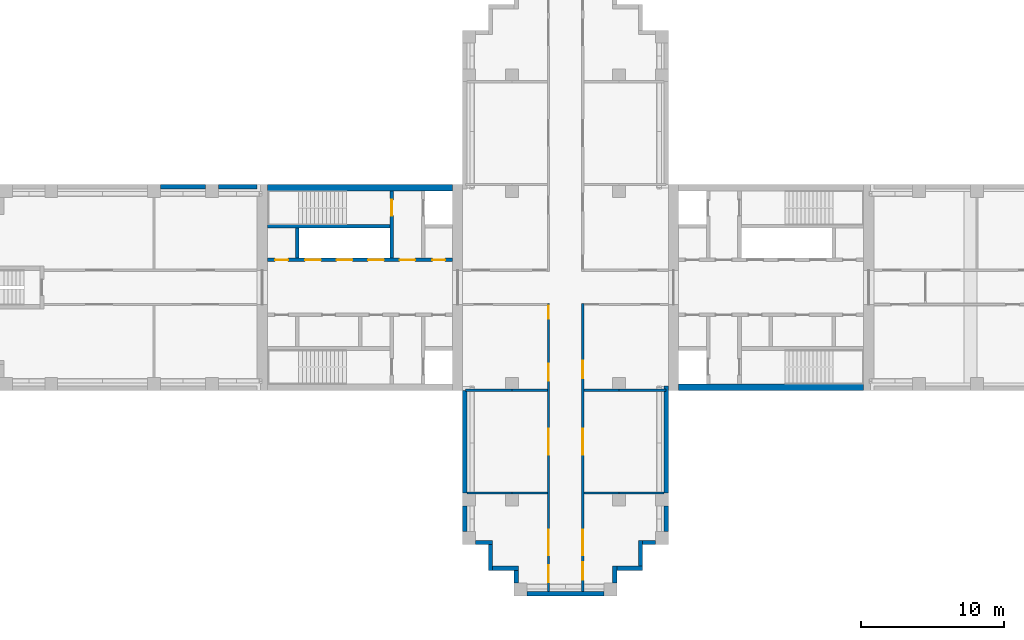
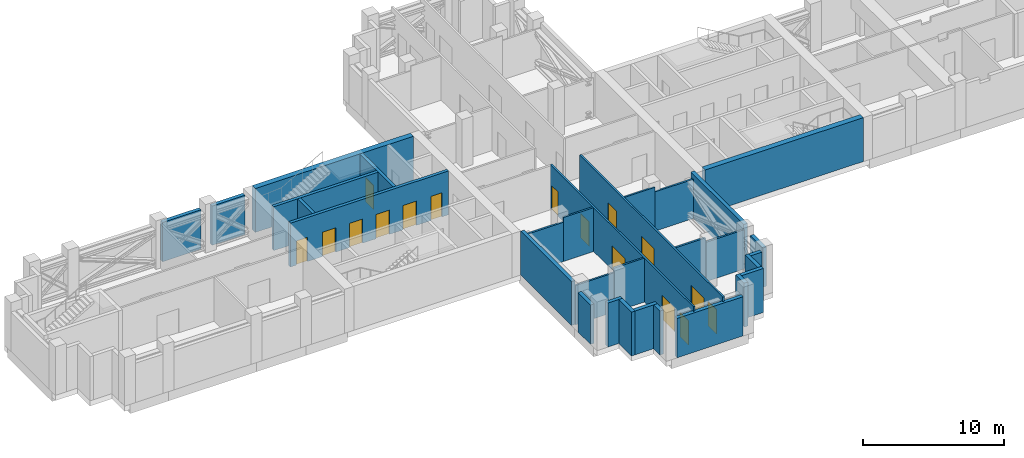
# One storey, part 4 of 9: 31 walls, 16 doors, 16 openings.
"""IFC4 building model written with IfcOpenShell, lengths in metres."""

from ifc_helpers import new_model, si_unit, direction, frame, frame_2d, origin, place, context, subcontext, project, spatial, rectangle, extrude, material, layer, layer_set, type_object, element, fill, save


model = new_model("IFC4")

# Units and contexts
model_context = context("Model", 3, precision=1e-05, world=origin(), true_north=direction((0.0, 1.0)))
body_context = subcontext(model_context, "Body", "Model", "MODEL_VIEW")
ifc_project = project(units=[si_unit("LENGTHUNIT", "METRE"), si_unit("AREAUNIT", "SQUARE_METRE"), si_unit("VOLUMEUNIT", "CUBIC_METRE"), si_unit("PLANEANGLEUNIT", "RADIAN"), si_unit("MASSUNIT", "GRAM", prefix="KILO")], contexts=[model_context])

# Site, building, storey
site_placement = place(None, origin())
site = spatial("IfcSite", under=ifc_project, at=site_placement, CompositionType="ELEMENT")
building_placement = place(site_placement, origin())
building = spatial("IfcBuilding", under=site, at=building_placement, Name="Fustian Cross Tower", CompositionType="ELEMENT")
storey_placement = place(building_placement, frame((0.0, 0.0, 162.300048828125)))
storey = spatial("IfcBuildingStorey", under=building, at=storey_placement, Name="L51", CompositionType="ELEMENT", Elevation=162.300048828125)

# Walls
ifc_material_1 = material(Name="Plasterboard on steel stud", Category="steel")
ifc_layer_1 = layer(ifc_material_1, 0.14990234375)
ifc_layer_set_1 = layer_set([ifc_layer_1], Name="Plasterboard on steel stud")
wall_type_1 = type_object("IfcWallType", Name="COMPARTMENT WALL 150 EI 60", PredefinedType="PARTITIONING", material=ifc_layer_set_1)
wall_1_placement = place(storey_placement, frame((-6.89990234375, -14.39990234375, 0.0), z_axis=(0.0, 0.0, 1.0), x_axis=(1.0, 0.0, 0.0)))
element("IfcWall", 1, at=wall_1_placement, inside=storey, type_object=wall_type_1, Name="Partition 7", PredefinedType="PARTITIONING", context=body_context, shape_type="SweptSolid", body=[
    extrude(rectangle(XDim=3.14990234375, YDim=0.14990234375, at=frame_2d((1.574951171875, 0.0))), origin(), (0.0, 0.0, 1.0), 3.39990234375),
])
wall_2_placement = place(storey_placement, frame((-7.02001953125, -7.199951171875, 0.0), z_axis=(0.0, 0.0, 1.0), x_axis=(1.0, 0.0, 0.0)))
element("IfcWall", 2, at=wall_2_placement, inside=storey, type_object=wall_type_1, Name="Partition 8", PredefinedType="PARTITIONING", context=body_context, shape_type="SweptSolid", body=[
    extrude(rectangle(XDim=3.27001953125, YDim=0.14990234375, at=frame_2d((1.635009765625, 0.0))), origin(), (0.0, 0.0, 1.0), 3.39990234375),
])

# Wall, openings, doors
wall_3_placement = place(storey_placement, frame((-1.199951171875, -21.419921875, 0.0), z_axis=(0.0, 0.0, 1.0), x_axis=(0.0, 1.0, 0.0)))
wall_3 = element("IfcWall", 3, at=wall_3_placement, inside=storey, type_object=wall_type_1, Name="Partition 11", PredefinedType="PARTITIONING", context=body_context, shape_type="SweptSolid", body=[
    extrude(rectangle(XDim=20.294921875, YDim=0.14990234375, at=frame_2d((10.1474609375, 0.0))), origin(), (0.0, 0.0, 1.0), 3.800048828125),
])
opening_1_placement = place(wall_3_placement, frame((14.8701171875, 0.0, 0.0)))
opening_1 = element("IfcOpeningElement", 4, at=opening_1_placement, cuts=wall_3, Name="Opening D23008", PredefinedType="OPENING", context=body_context, shape_type="SweptSolid", body=[
    extrude(rectangle(XDim=1.199951171875, YDim=2.10009765625, at=frame_2d((0.60009765625, 1.050048828125))), frame((0.0, 0.0849609375, 0.0), z_axis=(0.0, -1.0, 0.0), x_axis=(1.0, 0.0, 0.0)), (0.0, 0.0, 1.0), 0.169921875),
])
opening_2_placement = place(wall_3_placement, frame((19.219970703125, 0.0, 0.0)))
opening_2 = element("IfcOpeningElement", 5, at=opening_2_placement, cuts=wall_3, Name="Opening D23009", PredefinedType="OPENING", context=body_context, shape_type="SweptSolid", body=[
    extrude(rectangle(XDim=0.89990234375, YDim=2.10009765625, at=frame_2d((0.449951171875, 1.050048828125))), frame((0.0, 0.0849609375, 0.0), z_axis=(0.0, -1.0, 0.0), x_axis=(1.0, 0.0, 0.0)), (0.0, 0.0, 1.0), 0.169921875),
])
opening_3_placement = place(wall_3_placement, frame((9.719970703125, 0.0, 0.0)))
opening_3 = element("IfcOpeningElement", 6, at=opening_3_placement, cuts=wall_3, Name="Opening D23022", PredefinedType="OPENING", context=body_context, shape_type="SweptSolid", body=[
    extrude(rectangle(XDim=1.800048828125, YDim=2.10009765625, at=frame_2d((0.89990234375, 1.050048828125))), frame((0.0, 0.0849609375, 0.0), z_axis=(0.0, -1.0, 0.0), x_axis=(1.0, 0.0, 0.0)), (0.0, 0.0, 1.0), 0.169921875),
])
opening_4_placement = place(wall_3_placement, frame((0.77001953125, 0.0, 0.0)))
opening_4 = element("IfcOpeningElement", 7, at=opening_4_placement, cuts=wall_3, Name="Opening D23023", PredefinedType="OPENING", context=body_context, shape_type="SweptSolid", body=[
    extrude(rectangle(XDim=1.199951171875, YDim=2.10009765625, at=frame_2d((0.60009765625, 1.050048828125))), frame((0.0, 0.0849609375, 0.0), z_axis=(0.0, -1.0, 0.0), x_axis=(1.0, 0.0, 0.0)), (0.0, 0.0, 1.0), 0.169921875),
])
opening_5_placement = place(wall_3_placement, frame((2.669921875, 0.0, 0.0)))
opening_5 = element("IfcOpeningElement", 8, at=opening_5_placement, cuts=wall_3, Name="Opening D23024", PredefinedType="OPENING", context=body_context, shape_type="SweptSolid", body=[
    extrude(rectangle(XDim=1.800048828125, YDim=2.10009765625, at=frame_2d((0.89990234375, 1.050048828125))), frame((0.0, 0.0849609375, 0.0), z_axis=(0.0, -1.0, 0.0), x_axis=(1.0, 0.0, 0.0)), (0.0, 0.0, 1.0), 0.169921875),
])
ifc_material_2 = material(Name="Timber fire door set", Category="wood")
door_type_1 = type_object("IfcDoorType", Name="FIRE DOUBLE DOOR 1800 FD60S", OperationType="DOUBLE_DOOR_DOUBLE_SWING", PredefinedType="DOOR", material=ifc_material_2)
door_1_placement = place(opening_3_placement, frame((1.800048828125, 0.0, 0.0), z_axis=(0.0, 0.0, 1.0), x_axis=(-1.0, 0.0, 0.0)))
door_1 = element("IfcDoor", 9, at=door_1_placement, inside=storey, type_object=door_type_1, Name="Door D23022", OperationType="DOUBLE_DOOR_DOUBLE_SWING", OverallHeight=2.10009765625, OverallWidth=1.800048828125, PredefinedType="DOOR", context=body_context, shape_type="SweptSolid", body=[
    extrude(rectangle(XDim=1.800048828125, YDim=2.10009765625, at=frame_2d((0.89990234375, 1.050048828125))), frame((0.0, 0.02490234375, 0.0), z_axis=(0.0, -1.0, 0.0), x_axis=(1.0, 0.0, 0.0)), (0.0, 0.0, 1.0), 0.050048828125),
])
fill(opening_3, door_1)
door_2_placement = place(opening_5_placement, frame((1.800048828125, 0.0, 0.0), z_axis=(0.0, 0.0, 1.0), x_axis=(-1.0, 0.0, 0.0)))
door_2 = element("IfcDoor", 10, at=door_2_placement, inside=storey, type_object=door_type_1, Name="Door D23024", OperationType="DOUBLE_DOOR_DOUBLE_SWING", OverallHeight=2.10009765625, OverallWidth=1.800048828125, PredefinedType="DOOR", context=body_context, shape_type="SweptSolid", body=[
    extrude(rectangle(XDim=1.800048828125, YDim=2.10009765625, at=frame_2d((0.89990234375, 1.050048828125))), frame((0.0, 0.02490234375, 0.0), z_axis=(0.0, -1.0, 0.0), x_axis=(1.0, 0.0, 0.0)), (0.0, 0.0, 1.0), 0.050048828125),
])
fill(opening_5, door_2)
ifc_material_3 = material(Name="Timber fire door set", Category="wood")
door_type_2 = type_object("IfcDoorType", Name="FIRE SWING DOOR 1200 FD60S", OperationType="SINGLE_SWING_LEFT", PredefinedType="DOOR", material=ifc_material_3)
door_3_placement = place(opening_1_placement, frame((1.199951171875, 0.0, 0.0), z_axis=(0.0, 0.0, 1.0), x_axis=(-1.0, 0.0, 0.0)))
door_3 = element("IfcDoor", 11, at=door_3_placement, inside=storey, type_object=door_type_2, Name="Door D23008", OperationType="SINGLE_SWING_RIGHT", OverallHeight=2.10009765625, OverallWidth=1.199951171875, PredefinedType="DOOR", context=body_context, shape_type="SweptSolid", body=[
    extrude(rectangle(XDim=1.199951171875, YDim=2.10009765625, at=frame_2d((0.60009765625, 1.050048828125))), frame((0.0, 0.02490234375, 0.0), z_axis=(0.0, -1.0, 0.0), x_axis=(1.0, 0.0, 0.0)), (0.0, 0.0, 1.0), 0.050048828125),
])
fill(opening_1, door_3)
door_4_placement = place(opening_4_placement, origin())
door_4 = element("IfcDoor", 12, at=door_4_placement, inside=storey, type_object=door_type_2, Name="Door D23023", OperationType="SINGLE_SWING_LEFT", OverallHeight=2.10009765625, OverallWidth=1.199951171875, PredefinedType="DOOR", context=body_context, shape_type="SweptSolid", body=[
    extrude(rectangle(XDim=1.199951171875, YDim=2.10009765625, at=frame_2d((0.60009765625, 1.050048828125))), frame((0.0, 0.02490234375, 0.0), z_axis=(0.0, -1.0, 0.0), x_axis=(1.0, 0.0, 0.0)), (0.0, 0.0, 1.0), 0.050048828125),
])
fill(opening_4, door_4)
ifc_material_4 = material(Name="Timber fire door set", Category="wood")
door_type_3 = type_object("IfcDoorType", Name="FIRE SWING DOOR 900 FD30S", OperationType="SINGLE_SWING_LEFT", PredefinedType="DOOR", material=ifc_material_4)
door_5_placement = place(opening_2_placement, frame((0.89990234375, 0.0, 0.0), z_axis=(0.0, 0.0, 1.0), x_axis=(-1.0, 0.0, 0.0)))
door_5 = element("IfcDoor", 13, at=door_5_placement, inside=storey, type_object=door_type_3, Name="Door D23009", OperationType="SINGLE_SWING_RIGHT", OverallHeight=2.10009765625, OverallWidth=0.89990234375, PredefinedType="DOOR", context=body_context, shape_type="SweptSolid", body=[
    extrude(rectangle(XDim=0.89990234375, YDim=2.10009765625, at=frame_2d((0.449951171875, 1.050048828125))), frame((0.0, 0.02490234375, 0.0), z_axis=(0.0, -1.0, 0.0), x_axis=(1.0, 0.0, 0.0)), (0.0, 0.0, 1.0), 0.050048828125),
])
fill(opening_2, door_5)

wall_4_placement = place(storey_placement, frame((1.199951171875, -21.419921875, 0.0), z_axis=(0.0, 0.0, 1.0), x_axis=(0.0, 1.0, 0.0)))
wall_4 = element("IfcWall", 14, at=wall_4_placement, inside=storey, type_object=wall_type_1, Name="Partition 13", PredefinedType="PARTITIONING", context=body_context, shape_type="SweptSolid", body=[
    extrude(rectangle(XDim=20.294921875, YDim=0.14990234375, at=frame_2d((10.1474609375, 0.0))), origin(), (0.0, 0.0, 1.0), 3.800048828125),
])
opening_6_placement = place(wall_4_placement, frame((15.070068359375, 0.0, 0.0)))
opening_6 = element("IfcOpeningElement", 15, at=opening_6_placement, cuts=wall_4, Name="Opening D23010", PredefinedType="OPENING", context=body_context, shape_type="SweptSolid", body=[
    extrude(rectangle(XDim=1.199951171875, YDim=2.10009765625, at=frame_2d((0.60009765625, 1.050048828125))), frame((0.0, 0.0849609375, 0.0), z_axis=(0.0, -1.0, 0.0), x_axis=(1.0, 0.0, 0.0)), (0.0, 0.0, 1.0), 0.169921875),
])
opening_7_placement = place(wall_4_placement, frame((9.719970703125, 0.0, 0.0)))
opening_7 = element("IfcOpeningElement", 16, at=opening_7_placement, cuts=wall_4, Name="Opening D23019", PredefinedType="OPENING", context=body_context, shape_type="SweptSolid", body=[
    extrude(rectangle(XDim=1.800048828125, YDim=2.10009765625, at=frame_2d((0.89990234375, 1.050048828125))), frame((0.0, 0.0849609375, 0.0), z_axis=(0.0, -1.0, 0.0), x_axis=(1.0, 0.0, 0.0)), (0.0, 0.0, 1.0), 0.169921875),
])
opening_8_placement = place(wall_4_placement, frame((0.969970703125, 0.0, 0.0)))
opening_8 = element("IfcOpeningElement", 17, at=opening_8_placement, cuts=wall_4, Name="Opening D23020", PredefinedType="OPENING", context=body_context, shape_type="SweptSolid", body=[
    extrude(rectangle(XDim=1.199951171875, YDim=2.10009765625, at=frame_2d((0.60009765625, 1.050048828125))), frame((0.0, 0.0849609375, 0.0), z_axis=(0.0, -1.0, 0.0), x_axis=(1.0, 0.0, 0.0)), (0.0, 0.0, 1.0), 0.169921875),
])
opening_9_placement = place(wall_4_placement, frame((2.669921875, 0.0, 0.0)))
opening_9 = element("IfcOpeningElement", 18, at=opening_9_placement, cuts=wall_4, Name="Opening D23021", PredefinedType="OPENING", context=body_context, shape_type="SweptSolid", body=[
    extrude(rectangle(XDim=1.800048828125, YDim=2.10009765625, at=frame_2d((0.89990234375, 1.050048828125))), frame((0.0, 0.0849609375, 0.0), z_axis=(0.0, -1.0, 0.0), x_axis=(1.0, 0.0, 0.0)), (0.0, 0.0, 1.0), 0.169921875),
])
door_6_placement = place(opening_7_placement, origin())
door_6 = element("IfcDoor", 19, at=door_6_placement, inside=storey, type_object=door_type_1, Name="Door D23019", OperationType="DOUBLE_DOOR_DOUBLE_SWING", OverallHeight=2.10009765625, OverallWidth=1.800048828125, PredefinedType="DOOR", context=body_context, shape_type="SweptSolid", body=[
    extrude(rectangle(XDim=1.800048828125, YDim=2.10009765625, at=frame_2d((0.89990234375, 1.050048828125))), frame((0.0, 0.02490234375, 0.0), z_axis=(0.0, -1.0, 0.0), x_axis=(1.0, 0.0, 0.0)), (0.0, 0.0, 1.0), 0.050048828125),
])
fill(opening_7, door_6)
door_7_placement = place(opening_9_placement, origin())
door_7 = element("IfcDoor", 20, at=door_7_placement, inside=storey, type_object=door_type_1, Name="Door D23021", OperationType="DOUBLE_DOOR_DOUBLE_SWING", OverallHeight=2.10009765625, OverallWidth=1.800048828125, PredefinedType="DOOR", context=body_context, shape_type="SweptSolid", body=[
    extrude(rectangle(XDim=1.800048828125, YDim=2.10009765625, at=frame_2d((0.89990234375, 1.050048828125))), frame((0.0, 0.02490234375, 0.0), z_axis=(0.0, -1.0, 0.0), x_axis=(1.0, 0.0, 0.0)), (0.0, 0.0, 1.0), 0.050048828125),
])
fill(opening_9, door_7)
door_8_placement = place(opening_6_placement, frame((1.199951171875, 0.0, 0.0), z_axis=(0.0, 0.0, 1.0), x_axis=(-1.0, 0.0, 0.0)))
door_8 = element("IfcDoor", 21, at=door_8_placement, inside=storey, type_object=door_type_2, Name="Door D23010", OperationType="SINGLE_SWING_RIGHT", OverallHeight=2.10009765625, OverallWidth=1.199951171875, PredefinedType="DOOR", context=body_context, shape_type="SweptSolid", body=[
    extrude(rectangle(XDim=1.199951171875, YDim=2.10009765625, at=frame_2d((0.60009765625, 1.050048828125))), frame((0.0, 0.02490234375, 0.0), z_axis=(0.0, -1.0, 0.0), x_axis=(1.0, 0.0, 0.0)), (0.0, 0.0, 1.0), 0.050048828125),
])
fill(opening_6, door_8)
door_9_placement = place(opening_8_placement, origin())
door_9 = element("IfcDoor", 22, at=door_9_placement, inside=storey, type_object=door_type_2, Name="Door D23020", OperationType="SINGLE_SWING_LEFT", OverallHeight=2.10009765625, OverallWidth=1.199951171875, PredefinedType="DOOR", context=body_context, shape_type="SweptSolid", body=[
    extrude(rectangle(XDim=1.199951171875, YDim=2.10009765625, at=frame_2d((0.60009765625, 1.050048828125))), frame((0.0, 0.02490234375, 0.0), z_axis=(0.0, -1.0, 0.0), x_axis=(1.0, 0.0, 0.0)), (0.0, 0.0, 1.0), 0.050048828125),
])
fill(opening_8, door_9)

# Walls
for number, where, z_axis, x_axis, name in (
    (23, (1.27490234375, -14.39990234375, 0.0), (0.0, 0.0, 1.0), (1.0, 0.0, 0.0), "Partition 14"),
    (24, (1.27490234375, -7.199951171875, 0.0), (0.0, 0.0, 1.0), (1.0, 0.0, 0.0), "Partition 15"),
    (25, (-3.75, -14.39990234375, 0.0), (0.0, 0.0, 1.0), (1.0, 0.0, 0.0), "Partition 7"),
    (26, (-3.75, -7.199951171875, 0.0), (0.0, 0.0, 1.0), (1.0, 0.0, 0.0), "Partition 8"),
):
    element("IfcWall", number, at=place(storey_placement, frame(where, z_axis=z_axis, x_axis=x_axis)), inside=storey, type_object=wall_type_1, Name=name, PredefinedType="PARTITIONING", context=body_context, shape_type="SweptSolid", body=[
        extrude(rectangle(XDim=2.47509765625, YDim=0.14990234375, at=frame_2d((1.237548828125, 0.0))), origin(), (0.0, 0.0, 1.0), 3.800048828125),
    ])
wall_5_placement = place(storey_placement, frame((3.75, -14.39990234375, 0.0), z_axis=(0.0, 0.0, 1.0), x_axis=(1.0, 0.0, 0.0)))
element("IfcWall", 27, at=wall_5_placement, inside=storey, type_object=wall_type_1, Name="Partition 14", PredefinedType="PARTITIONING", context=body_context, shape_type="SweptSolid", body=[
    extrude(rectangle(XDim=3.14990234375, YDim=0.14990234375, at=frame_2d((1.574951171875, 0.0))), origin(), (0.0, 0.0, 1.0), 3.39990234375),
])
wall_6_placement = place(storey_placement, frame((3.75, -7.199951171875, 0.0), z_axis=(0.0, 0.0, 1.0), x_axis=(1.0, 0.0, 0.0)))
element("IfcWall", 28, at=wall_6_placement, inside=storey, type_object=wall_type_1, Name="Partition 15", PredefinedType="PARTITIONING", context=body_context, shape_type="SweptSolid", body=[
    extrude(rectangle(XDim=3.27001953125, YDim=0.14990234375, at=frame_2d((1.635009765625, 0.0))), origin(), (0.0, 0.0, 1.0), 3.39990234375),
])
ifc_material_5 = material(Name="Concrete C60/75", Category="concrete")
ifc_layer_2 = layer(ifc_material_5, 0.449951171875)
ifc_layer_set_2 = layer_set([ifc_layer_2], Name="Concrete C60/75")
wall_type_2 = type_object("IfcWallType", Name="CORE FACADE WALL 450 C60/75", PredefinedType="SHEAR", material=ifc_layer_set_2)
for number, where, z_axis, x_axis, name in (
    (29, (7.89990234375, -6.97509765625, 0.0), (0.0, 0.0, 1.0), (1.0, 0.0, 0.0), "Core facade wall"),
    (30, (-7.89990234375, 6.97509765625, 0.0), (0.0, 0.0, 1.0), (-1.0, 0.0, 0.0), "Core facade wall"),
):
    element("IfcWall", number, at=place(storey_placement, frame(where, z_axis=z_axis, x_axis=x_axis)), inside=storey, type_object=wall_type_2, Name=name, PredefinedType="SHEAR", context=body_context, shape_type="SweptSolid", body=[
        extrude(rectangle(XDim=12.9501953125, YDim=0.449951171875, at=frame_2d((6.47509765625, 0.0))), origin(), (0.0, 0.0, 1.0), 3.800048828125),
    ])

# Wall, openings, doors
ifc_material_6 = material(Name="Concrete C50/60", Category="concrete")
ifc_layer_3 = layer(ifc_material_6, 0.25)
ifc_layer_set_3 = layer_set([ifc_layer_3], Name="Concrete C50/60")
wall_type_3 = type_object("IfcWallType", Name="CORE LOBBY WALL 250 C50/60", PredefinedType="SHEAR", material=ifc_layer_set_3)
wall_7_placement = place(storey_placement, frame((-7.89990234375, 1.925048828125, 0.0), z_axis=(0.0, 0.0, 1.0), x_axis=(-1.0, 0.0, 0.0)))
wall_7 = element("IfcWall", 31, at=wall_7_placement, inside=storey, type_object=wall_type_3, Name="Core lobby wall", PredefinedType="SHEAR", context=body_context, shape_type="SweptSolid", body=[
    extrude(rectangle(XDim=12.9501953125, YDim=0.25, at=frame_2d((6.47509765625, 0.0))), origin(), (0.0, 0.0, 1.0), 3.800048828125),
])
opening_10_placement = place(wall_7_placement, frame((4.824951171875, 0.0, 0.0)))
opening_10 = element("IfcOpeningElement", 32, at=opening_10_placement, cuts=wall_7, Name="Opening LD", PredefinedType="OPENING", context=body_context, shape_type="SweptSolid", body=[
    extrude(rectangle(XDim=1.10009765625, YDim=2.10009765625, at=frame_2d((0.550048828125, 1.050048828125))), frame((0.0, 0.135009765625, 0.0), z_axis=(0.0, -1.0, 0.0), x_axis=(1.0, 0.0, 0.0)), (0.0, 0.0, 1.0), 0.27001953125),
])
opening_11_placement = place(wall_7_placement, frame((7.02490234375, 0.0, 0.0)))
opening_11 = element("IfcOpeningElement", 33, at=opening_11_placement, cuts=wall_7, Name="Opening LD", PredefinedType="OPENING", context=body_context, shape_type="SweptSolid", body=[
    extrude(rectangle(XDim=1.10009765625, YDim=2.10009765625, at=frame_2d((0.550048828125, 1.050048828125))), frame((0.0, 0.135009765625, 0.0), z_axis=(0.0, -1.0, 0.0), x_axis=(1.0, 0.0, 0.0)), (0.0, 0.0, 1.0), 0.27001953125),
])
opening_12_placement = place(wall_7_placement, frame((9.22509765625, 0.0, 0.0)))
opening_12 = element("IfcOpeningElement", 34, at=opening_12_placement, cuts=wall_7, Name="Opening LD", PredefinedType="OPENING", context=body_context, shape_type="SweptSolid", body=[
    extrude(rectangle(XDim=1.10009765625, YDim=2.10009765625, at=frame_2d((0.550048828125, 1.050048828125))), frame((0.0, 0.135009765625, 0.0), z_axis=(0.0, -1.0, 0.0), x_axis=(1.0, 0.0, 0.0)), (0.0, 0.0, 1.0), 0.27001953125),
])
opening_13_placement = place(wall_7_placement, frame((0.52490234375, 0.0, 0.0)))
opening_13 = element("IfcOpeningElement", 35, at=opening_13_placement, cuts=wall_7, Name="Opening CD-20-25", PredefinedType="OPENING", context=body_context, shape_type="SweptSolid", body=[
    extrude(rectangle(XDim=0.89990234375, YDim=2.10009765625, at=frame_2d((0.449951171875, 1.050048828125))), frame((0.0, 0.135009765625, 0.0), z_axis=(0.0, -1.0, 0.0), x_axis=(1.0, 0.0, 0.0)), (0.0, 0.0, 1.0), 0.27001953125),
])
opening_14_placement = place(wall_7_placement, frame((2.625, 0.0, 0.0)))
opening_14 = element("IfcOpeningElement", 36, at=opening_14_placement, cuts=wall_7, Name="Opening CD-20-27", PredefinedType="OPENING", context=body_context, shape_type="SweptSolid", body=[
    extrude(rectangle(XDim=1.10009765625, YDim=2.10009765625, at=frame_2d((0.550048828125, 1.050048828125))), frame((0.0, 0.135009765625, 0.0), z_axis=(0.0, -1.0, 0.0), x_axis=(1.0, 0.0, 0.0)), (0.0, 0.0, 1.0), 0.27001953125),
])
opening_15_placement = place(wall_7_placement, frame((11.52490234375, 0.0, 0.0)))
opening_15 = element("IfcOpeningElement", 37, at=opening_15_placement, cuts=wall_7, Name="Opening CD-20-31", PredefinedType="OPENING", context=body_context, shape_type="SweptSolid", body=[
    extrude(rectangle(XDim=0.89990234375, YDim=2.10009765625, at=frame_2d((0.449951171875, 1.050048828125))), frame((0.0, 0.135009765625, 0.0), z_axis=(0.0, -1.0, 0.0), x_axis=(1.0, 0.0, 0.0)), (0.0, 0.0, 1.0), 0.27001953125),
])
ifc_material_7 = material(Name="Steel", Category="steel")
door_type_4 = type_object("IfcDoorType", Name="FIRE DOOR FD30S 900X2100", OperationType="SINGLE_SWING_LEFT", PredefinedType="DOOR", material=ifc_material_7)
door_10_placement = place(opening_15_placement, frame((0.89990234375, 0.0, 0.0), z_axis=(0.0, 0.0, 1.0), x_axis=(-1.0, 0.0, 0.0)))
door_10 = element("IfcDoor", 38, at=door_10_placement, inside=storey, type_object=door_type_4, Name="Core door CD-20-31", OperationType="SINGLE_SWING_RIGHT", OverallHeight=2.10009765625, OverallWidth=0.89990234375, PredefinedType="DOOR", context=body_context, shape_type="SweptSolid", body=[
    extrude(rectangle(XDim=0.89990234375, YDim=2.10009765625, at=frame_2d((0.449951171875, 1.050048828125))), frame((0.0, 0.02490234375, 0.0), z_axis=(0.0, -1.0, 0.0), x_axis=(1.0, 0.0, 0.0)), (0.0, 0.0, 1.0), 0.050048828125),
])
fill(opening_15, door_10)
ifc_material_8 = material(Name="Steel", Category="steel")
door_type_5 = type_object("IfcDoorType", Name="FIRE DOOR FD60S 1100X2100", OperationType="SINGLE_SWING_LEFT", PredefinedType="DOOR", material=ifc_material_8)
door_11_placement = place(opening_14_placement, frame((1.10009765625, 0.0, 0.0), z_axis=(0.0, 0.0, 1.0), x_axis=(-1.0, 0.0, 0.0)))
door_11 = element("IfcDoor", 39, at=door_11_placement, inside=storey, type_object=door_type_5, Name="Core door CD-20-27", OperationType="SINGLE_SWING_RIGHT", OverallHeight=2.10009765625, OverallWidth=1.10009765625, PredefinedType="DOOR", context=body_context, shape_type="SweptSolid", body=[
    extrude(rectangle(XDim=1.10009765625, YDim=2.10009765625, at=frame_2d((0.550048828125, 1.050048828125))), frame((0.0, 0.02490234375, 0.0), z_axis=(0.0, -1.0, 0.0), x_axis=(1.0, 0.0, 0.0)), (0.0, 0.0, 1.0), 0.050048828125),
])
fill(opening_14, door_11)
ifc_material_9 = material(Name="Steel", Category="steel")
door_type_6 = type_object("IfcDoorType", Name="FIRE DOOR FD60S 900X2100", OperationType="SINGLE_SWING_LEFT", PredefinedType="DOOR", material=ifc_material_9)
door_12_placement = place(opening_13_placement, frame((0.89990234375, 0.0, 0.0), z_axis=(0.0, 0.0, 1.0), x_axis=(-1.0, 0.0, 0.0)))
door_12 = element("IfcDoor", 40, at=door_12_placement, inside=storey, type_object=door_type_6, Name="Core door CD-20-25", OperationType="SINGLE_SWING_RIGHT", OverallHeight=2.10009765625, OverallWidth=0.89990234375, PredefinedType="DOOR", context=body_context, shape_type="SweptSolid", body=[
    extrude(rectangle(XDim=0.89990234375, YDim=2.10009765625, at=frame_2d((0.449951171875, 1.050048828125))), frame((0.0, 0.02490234375, 0.0), z_axis=(0.0, -1.0, 0.0), x_axis=(1.0, 0.0, 0.0)), (0.0, 0.0, 1.0), 0.050048828125),
])
fill(opening_13, door_12)
ifc_material_10 = material(Name="Stainless steel", Category="steel")
door_type_7 = type_object("IfcDoorType", Name="LIFT LANDING DOOR 1100X2100", OperationType="SLIDING_TO_LEFT", PredefinedType="DOOR", material=ifc_material_10)
door_13_placement = place(opening_10_placement, origin())
door_13 = element("IfcDoor", 41, at=door_13_placement, inside=storey, type_object=door_type_7, Name="Landing door HR1W", OperationType="SLIDING_TO_LEFT", OverallHeight=2.10009765625, OverallWidth=1.10009765625, PredefinedType="DOOR", context=body_context, shape_type="SweptSolid", body=[
    extrude(rectangle(XDim=1.10009765625, YDim=2.10009765625, at=frame_2d((0.550048828125, 1.050048828125))), frame((0.0, 0.02490234375, 0.0), z_axis=(0.0, -1.0, 0.0), x_axis=(1.0, 0.0, 0.0)), (0.0, 0.0, 1.0), 0.050048828125),
])
fill(opening_10, door_13)
door_14_placement = place(opening_11_placement, origin())
door_14 = element("IfcDoor", 42, at=door_14_placement, inside=storey, type_object=door_type_7, Name="Landing door HR2W", OperationType="SLIDING_TO_LEFT", OverallHeight=2.10009765625, OverallWidth=1.10009765625, PredefinedType="DOOR", context=body_context, shape_type="SweptSolid", body=[
    extrude(rectangle(XDim=1.10009765625, YDim=2.10009765625, at=frame_2d((0.550048828125, 1.050048828125))), frame((0.0, 0.02490234375, 0.0), z_axis=(0.0, -1.0, 0.0), x_axis=(1.0, 0.0, 0.0)), (0.0, 0.0, 1.0), 0.050048828125),
])
fill(opening_11, door_14)
door_15_placement = place(opening_12_placement, origin())
door_15 = element("IfcDoor", 43, at=door_15_placement, inside=storey, type_object=door_type_7, Name="Landing door HR3W", OperationType="SLIDING_TO_LEFT", OverallHeight=2.10009765625, OverallWidth=1.10009765625, PredefinedType="DOOR", context=body_context, shape_type="SweptSolid", body=[
    extrude(rectangle(XDim=1.10009765625, YDim=2.10009765625, at=frame_2d((0.550048828125, 1.050048828125))), frame((0.0, 0.02490234375, 0.0), z_axis=(0.0, -1.0, 0.0), x_axis=(1.0, 0.0, 0.0)), (0.0, 0.0, 1.0), 0.050048828125),
])
fill(opening_12, door_15)

# Wall
ifc_material_11 = material(Name="Concrete C50/60", Category="concrete")
ifc_layer_4 = layer(ifc_material_11, 0.25)
ifc_layer_set_4 = layer_set([ifc_layer_4], Name="Concrete C50/60")
wall_type_4 = type_object("IfcWallType", Name="CORE SHAFT WALL 250 C50/60", PredefinedType="SHEAR", material=ifc_layer_set_4)
wall_8_placement = place(storey_placement, frame((-12.300048828125, 4.27490234375, 0.0), z_axis=(0.0, 0.0, 1.0), x_axis=(-1.0, 0.0, 0.0)))
element("IfcWall", 44, at=wall_8_placement, inside=storey, type_object=wall_type_4, Name="Core shaft wall", PredefinedType="SHEAR", context=body_context, shape_type="SweptSolid", body=[
    extrude(rectangle(XDim=8.550048828125, YDim=0.25, at=frame_2d((4.27490234375, 0.0))), origin(), (0.0, 0.0, 1.0), 3.800048828125),
])

# Wall, opening, door
wall_9_placement = place(storey_placement, frame((-12.175048828125, 2.050048828125, 0.0), z_axis=(0.0, 0.0, 1.0), x_axis=(0.0, 1.0, 0.0)))
wall_9 = element("IfcWall", 45, at=wall_9_placement, inside=storey, type_object=wall_type_4, Name="Core shaft wall", PredefinedType="SHEAR", context=body_context, shape_type="SweptSolid", body=[
    extrude(rectangle(XDim=4.699951171875, YDim=0.25, at=frame_2d((2.35009765625, 0.0))), origin(), (0.0, 0.0, 1.0), 3.800048828125),
])
opening_16_placement = place(wall_9_placement, frame((2.97509765625, 0.0, 0.0)))
opening_16 = element("IfcOpeningElement", 46, at=opening_16_placement, cuts=wall_9, Name="Opening CD-20-23", PredefinedType="OPENING", context=body_context, shape_type="SweptSolid", body=[
    extrude(rectangle(XDim=1.10009765625, YDim=2.10009765625, at=frame_2d((0.550048828125, 1.050048828125))), frame((0.0, 0.135009765625, 0.0), z_axis=(0.0, -1.0, 0.0), x_axis=(1.0, 0.0, 0.0)), (0.0, 0.0, 1.0), 0.27001953125),
])
door_16_placement = place(opening_16_placement, origin())
door_16 = element("IfcDoor", 47, at=door_16_placement, inside=storey, type_object=door_type_5, Name="Core door CD-20-23", OperationType="SINGLE_SWING_LEFT", OverallHeight=2.10009765625, OverallWidth=1.10009765625, PredefinedType="DOOR", context=body_context, shape_type="SweptSolid", body=[
    extrude(rectangle(XDim=1.10009765625, YDim=2.10009765625, at=frame_2d((0.550048828125, 1.050048828125))), frame((0.0, 0.02490234375, 0.0), z_axis=(0.0, -1.0, 0.0), x_axis=(1.0, 0.0, 0.0)), (0.0, 0.0, 1.0), 0.050048828125),
])
fill(opening_16, door_16)

# Walls
ifc_material_12 = material(Name="Concrete C40/50", Category="concrete")
ifc_layer_5 = layer(ifc_material_12, 0.25)
ifc_layer_set_5 = layer_set([ifc_layer_5], Name="Concrete C40/50")
wall_type_5 = type_object("IfcWallType", Name="SHAFT PARTITION WALL 250 C40/50", PredefinedType="PARTITIONING", material=ifc_layer_set_5)
wall_10_placement = place(storey_placement, frame((-18.77490234375, 2.050048828125, 0.0), z_axis=(0.0, 0.0, 1.0), x_axis=(0.0, 1.0, 0.0)))
element("IfcWall", 48, at=wall_10_placement, inside=storey, type_object=wall_type_5, Name="Core shaft wall", PredefinedType="PARTITIONING", context=body_context, shape_type="SweptSolid", body=[
    extrude(rectangle(XDim=2.099853515625, YDim=0.25, at=frame_2d((1.0498046875, 0.0))), origin(), (0.0, 0.0, 1.0), 3.800048828125),
])
ifc_material_13 = material(Name="Dark aluminium louvres on insulated backing wall", Category="aluminium")
ifc_layer_6 = layer(ifc_material_13, 0.300048828125)
ifc_layer_set_6 = layer_set([ifc_layer_6], Name="Dark aluminium louvres on insulated backing wall")
wall_type_6 = type_object("IfcWallType", Name="XW2 LOUVRED PLANT WALL 300", PredefinedType="SOLIDWALL", material=ifc_layer_set_6)
wall_11_placement = place(storey_placement, frame((-21.60009765625, 7.050048828125, 0.0), z_axis=(0.0, 0.0, 1.0), x_axis=(-1.0, 0.0, 0.0)))
element("IfcWall", 49, at=wall_11_placement, inside=storey, type_object=wall_type_6, Name="Plant louvre wall", PredefinedType="SOLIDWALL", context=body_context, shape_type="SweptSolid", body=[
    extrude(rectangle(XDim=2.699951171875, YDim=0.300048828125, at=frame_2d((1.35009765625, 0.0))), origin(), (0.0, 0.0, 1.0), 3.39990234375),
])
wall_12_placement = place(storey_placement, frame((-25.199951171875, 7.050048828125, 0.0), z_axis=(0.0, 0.0, 1.0), x_axis=(-1.0, 0.0, 0.0)))
element("IfcWall", 50, at=wall_12_placement, inside=storey, type_object=wall_type_6, Name="Plant louvre wall", PredefinedType="SOLIDWALL", context=body_context, shape_type="SweptSolid", body=[
    extrude(rectangle(XDim=3.150146484375, YDim=0.300048828125, at=frame_2d((1.5751953125, 0.0))), origin(), (0.0, 0.0, 1.0), 3.39990234375),
])
wall_13_placement = place(storey_placement, frame((-7.050048828125, -7.199951171875, 0.0), z_axis=(0.0, 0.0, 1.0), x_axis=(0.0, -1.0, 0.0)))
element("IfcWall", 51, at=wall_13_placement, inside=storey, type_object=wall_type_6, Name="Plant louvre wall", PredefinedType="SOLIDWALL", context=body_context, shape_type="SweptSolid", body=[
    extrude(rectangle(XDim=7.199951171875, YDim=0.300048828125, at=frame_2d((3.60009765625, 0.0))), origin(), (0.0, 0.0, 1.0), 3.800048828125),
])
wall_14_placement = place(storey_placement, frame((-7.050048828125, -15.300048828125, 0.0), z_axis=(0.0, 0.0, 1.0), x_axis=(0.0, -1.0, 0.0)))
element("IfcWall", 52, at=wall_14_placement, inside=storey, type_object=wall_type_6, Name="Plant louvre wall", PredefinedType="SOLIDWALL", context=body_context, shape_type="SweptSolid", body=[
    extrude(rectangle(XDim=1.800048828125, YDim=0.300048828125, at=frame_2d((0.89990234375, 0.0))), origin(), (0.0, 0.0, 1.0), 3.39990234375),
])
wall_15_placement = place(storey_placement, frame((-6.300048828125, -17.85009765625, 0.0), z_axis=(0.0, 0.0, 1.0), x_axis=(1.0, 0.0, 0.0)))
element("IfcWall", 53, at=wall_15_placement, inside=storey, type_object=wall_type_6, Name="Plant louvre wall", PredefinedType="SOLIDWALL", context=body_context, shape_type="SweptSolid", body=[
    extrude(rectangle(XDim=1.199951171875, YDim=0.300048828125, at=frame_2d((0.60009765625, 0.0))), origin(), (0.0, 0.0, 1.0), 3.800048828125),
])
for number, where, z_axis, x_axis, name in (
    (54, (-5.25, -18.0, 0.0), (0.0, 0.0, 1.0), (0.0, -1.0, 0.0), "Plant louvre wall"),
    (55, (-5.10009765625, -19.64990234375, 0.0), (0.0, 0.0, 1.0), (1.0, 0.0, 0.0), "Plant louvre wall"),
):
    element("IfcWall", number, at=place(storey_placement, frame(where, z_axis=z_axis, x_axis=x_axis)), inside=storey, type_object=wall_type_6, Name=name, PredefinedType="SOLIDWALL", context=body_context, shape_type="SweptSolid", body=[
        extrude(rectangle(XDim=1.800048828125, YDim=0.300048828125, at=frame_2d((0.89990234375, 0.0))), origin(), (0.0, 0.0, 1.0), 3.800048828125),
    ])
wall_16_placement = place(storey_placement, frame((-3.449951171875, -19.800048828125, 0.0), z_axis=(0.0, 0.0, 1.0), x_axis=(0.0, -1.0, 0.0)))
element("IfcWall", 56, at=wall_16_placement, inside=storey, type_object=wall_type_6, Name="Plant louvre wall", PredefinedType="SOLIDWALL", context=body_context, shape_type="SweptSolid", body=[
    extrude(rectangle(XDim=0.89990234375, YDim=0.300048828125, at=frame_2d((0.449951171875, 0.0))), origin(), (0.0, 0.0, 1.0), 3.800048828125),
])
wall_17_placement = place(storey_placement, frame((-2.699951171875, -21.449951171875, 0.0), z_axis=(0.0, 0.0, 1.0), x_axis=(1.0, 0.0, 0.0)))
element("IfcWall", 57, at=wall_17_placement, inside=storey, type_object=wall_type_6, Name="Plant louvre wall", PredefinedType="SOLIDWALL", context=body_context, shape_type="SweptSolid", body=[
    extrude(rectangle(XDim=5.39990234375, YDim=0.300048828125, at=frame_2d((2.699951171875, 0.0))), origin(), (0.0, 0.0, 1.0), 3.39990234375),
])
wall_18_placement = place(storey_placement, frame((3.449951171875, -20.699951171875, 0.0), z_axis=(0.0, 0.0, 1.0), x_axis=(0.0, 1.0, 0.0)))
element("IfcWall", 58, at=wall_18_placement, inside=storey, type_object=wall_type_6, Name="Plant louvre wall", PredefinedType="SOLIDWALL", context=body_context, shape_type="SweptSolid", body=[
    extrude(rectangle(XDim=1.199951171875, YDim=0.300048828125, at=frame_2d((0.60009765625, 0.0))), origin(), (0.0, 0.0, 1.0), 3.800048828125),
])
wall_19_placement = place(storey_placement, frame((3.60009765625, -19.64990234375, 0.0), z_axis=(0.0, 0.0, 1.0), x_axis=(1.0, 0.0, 0.0)))
element("IfcWall", 59, at=wall_19_placement, inside=storey, type_object=wall_type_6, Name="Plant louvre wall", PredefinedType="SOLIDWALL", context=body_context, shape_type="SweptSolid", body=[
    extrude(rectangle(XDim=1.7998046875, YDim=0.300048828125, at=frame_2d((0.89990234375, 0.0))), origin(), (0.0, 0.0, 1.0), 3.800048828125),
])
wall_20_placement = place(storey_placement, frame((5.25, -19.5, 0.0), z_axis=(0.0, 0.0, 1.0), x_axis=(0.0, 1.0, 0.0)))
element("IfcWall", 60, at=wall_20_placement, inside=storey, type_object=wall_type_6, Name="Plant louvre wall", PredefinedType="SOLIDWALL", context=body_context, shape_type="SweptSolid", body=[
    extrude(rectangle(XDim=1.800048828125, YDim=0.300048828125, at=frame_2d((0.89990234375, 0.0))), origin(), (0.0, 0.0, 1.0), 3.800048828125),
])
wall_21_placement = place(storey_placement, frame((5.39990234375, -17.85009765625, 0.0), z_axis=(0.0, 0.0, 1.0), x_axis=(1.0, 0.0, 0.0)))
element("IfcWall", 61, at=wall_21_placement, inside=storey, type_object=wall_type_6, Name="Plant louvre wall", PredefinedType="SOLIDWALL", context=body_context, shape_type="SweptSolid", body=[
    extrude(rectangle(XDim=0.900146484375, YDim=0.300048828125, at=frame_2d((0.4501953125, 0.0))), origin(), (0.0, 0.0, 1.0), 3.800048828125),
])
wall_22_placement = place(storey_placement, frame((7.050048828125, -17.10009765625, 0.0), z_axis=(0.0, 0.0, 1.0), x_axis=(0.0, 1.0, 0.0)))
element("IfcWall", 62, at=wall_22_placement, inside=storey, type_object=wall_type_6, Name="Plant louvre wall", PredefinedType="SOLIDWALL", context=body_context, shape_type="SweptSolid", body=[
    extrude(rectangle(XDim=1.800048828125, YDim=0.300048828125, at=frame_2d((0.89990234375, 0.0))), origin(), (0.0, 0.0, 1.0), 3.39990234375),
])
wall_23_placement = place(storey_placement, frame((7.050048828125, -14.39990234375, 0.0), z_axis=(0.0, 0.0, 1.0), x_axis=(0.0, 1.0, 0.0)))
element("IfcWall", 63, at=wall_23_placement, inside=storey, type_object=wall_type_6, Name="Plant louvre wall", PredefinedType="SOLIDWALL", context=body_context, shape_type="SweptSolid", body=[
    extrude(rectangle(XDim=7.5, YDim=0.300048828125, at=frame_2d((3.75, 0.0))), origin(), (0.0, 0.0, 1.0), 3.800048828125),
])

save(model, "model.ifc")
